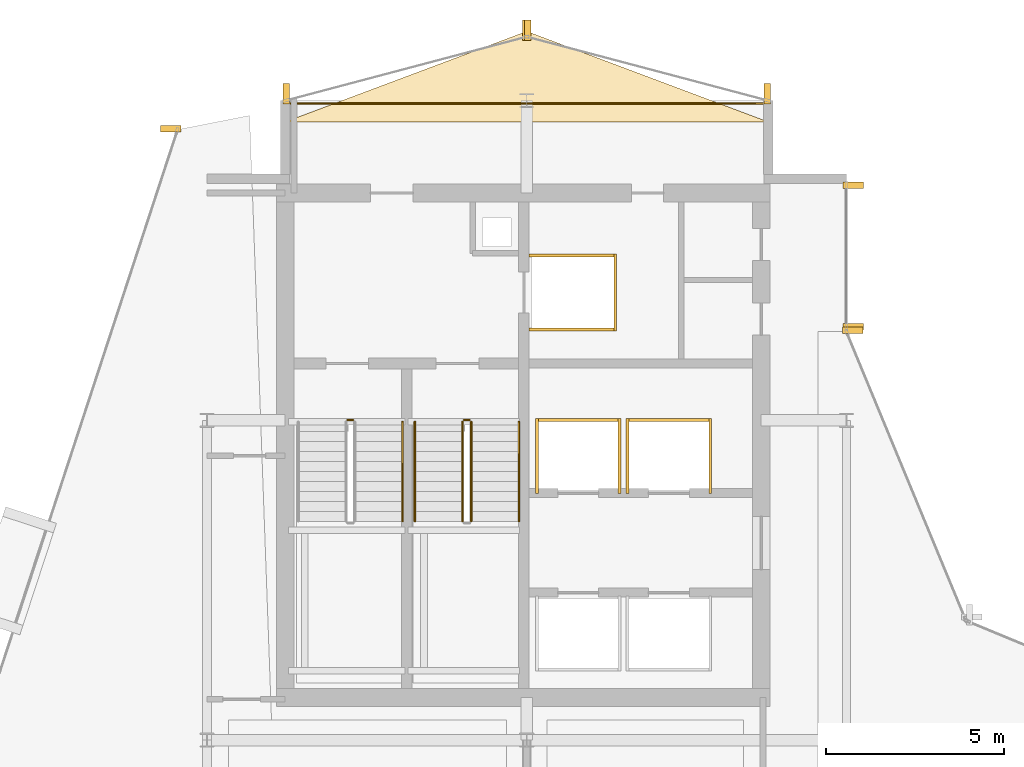
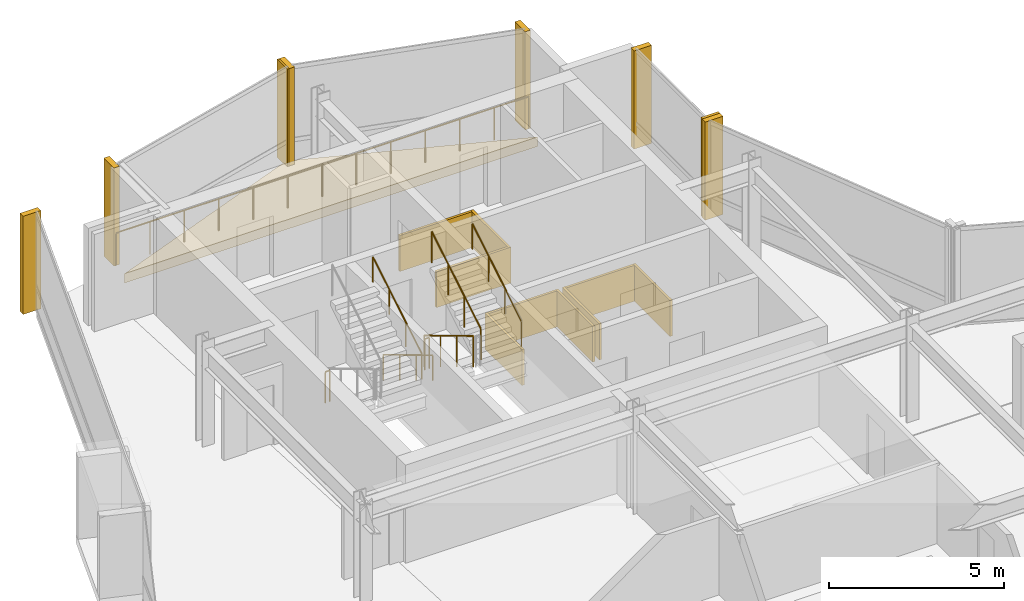
# One storey, part 28 of 28: 18 coverings, 8 railings.
"""IFC4 building model written with IfcOpenShell, lengths in metres."""

from ifc_helpers import new_model, si_unit, direction, frame, origin, origin_2d, place, context, subcontext, project, spatial, polyline, rectangle, circle, outline, extrude, material, layer, layer_set, type_object, element, save


model = new_model("IFC4")

# Units and contexts
model_context = context("Model", 3, precision=1e-05, world=origin(), true_north=direction((0.0, 1.0)))
body_context = subcontext(model_context, "Body", "Model", "MODEL_VIEW")
ifc_project = project(units=[si_unit("LENGTHUNIT", "METRE"), si_unit("AREAUNIT", "SQUARE_METRE"), si_unit("VOLUMEUNIT", "CUBIC_METRE"), si_unit("PLANEANGLEUNIT", "RADIAN"), si_unit("MASSUNIT", "GRAM", prefix="KILO")], contexts=[model_context])

# Site, building, storey
site_placement = place(None, origin())
site = spatial("IfcSite", under=ifc_project, at=site_placement, CompositionType="ELEMENT")
building_placement = place(site_placement, origin())
building = spatial("IfcBuilding", under=site, at=building_placement, Name="Solvaryn Broadcast Tower", CompositionType="ELEMENT")
storey_placement = place(building_placement, frame((0.0, 0.0, 217.300048828125)))
storey = spatial("IfcBuildingStorey", under=building, at=storey_placement, Name="L54", CompositionType="ELEMENT", Elevation=217.300048828125)

# Coverings
ifc_material_1 = material(Name="Fire-Rated Gypsum Shaftwall Liner", Category="concrete")
ifc_layer_1 = layer(ifc_material_1, 0.080078125)
ifc_layer_set_1 = layer_set([ifc_layer_1], Name="CV-SHAFT-LINER")
covering_type_1 = type_object("IfcCoveringType", Name="CV-SHAFT-LINER", PredefinedType="CLADDING", material=ifc_layer_set_1)
for number, where, z_axis, x_axis, name in (
    (1, (19.300048828125, 40.639892578125, 0.0), (0.0, 0.0, 1.0), (1.0, 0.0, 0.0), "L54 FL1 Hoistway Shaft Liner North"),
    (2, (19.300048828125, 38.56005859375, 0.0), (0.0, 0.0, 1.0), (1.0, 0.0, 0.0), "L54 FL1 Hoistway Shaft Liner South"),
):
    element("IfcCovering", number, at=place(storey_placement, frame(where, z_axis=z_axis, x_axis=x_axis)), inside=storey, type_object=covering_type_1, Name=name, PredefinedType="CLADDING", context=body_context, shape_type="SweptSolid", body=[
        extrude(rectangle(XDim=2.4599609375, YDim=0.080078125, at=origin_2d()), origin(), (0.0, 0.0, 1.0), 1.25),
    ])
covering_1_placement = place(storey_placement, frame((20.489990234375, 39.60009765625, 0.0), z_axis=(0.0, 0.0, 1.0), x_axis=(1.0, 0.0, 0.0)))
element("IfcCovering", 3, at=covering_1_placement, inside=storey, type_object=covering_type_1, Name="L54 FL1 Hoistway Shaft Liner East", PredefinedType="CLADDING", context=body_context, shape_type="SweptSolid", body=[
    extrude(rectangle(XDim=0.080078125, YDim=2.159912109375, at=origin_2d()), origin(), (0.0, 0.0, 1.0), 1.25),
])
covering_2_placement = place(storey_placement, frame((19.449951171875, 36.014892578125, 0.0), z_axis=(0.0, 0.0, 1.0), x_axis=(1.0, 0.0, 0.0)))
element("IfcCovering", 4, at=covering_2_placement, inside=storey, type_object=covering_type_1, Name="L54 PH3 Hoistway Shaft Liner North", PredefinedType="CLADDING", context=body_context, shape_type="SweptSolid", body=[
    extrude(rectangle(XDim=2.409912109375, YDim=0.080078125, at=origin_2d()), origin(), (0.0, 0.0, 1.0), 1.25),
])
for number, where, z_axis, x_axis, name in (
    (5, (20.614990234375, 35.0, 0.0), (0.0, 0.0, 1.0), (1.0, 0.0, 0.0), "L54 PH3 Hoistway Shaft Liner East"),
    (6, (18.284912109375, 35.0, 0.0), (0.0, 0.0, 1.0), (1.0, 0.0, 0.0), "L54 PH3 Hoistway Shaft Liner West"),
):
    element("IfcCovering", number, at=place(storey_placement, frame(where, z_axis=z_axis, x_axis=x_axis)), inside=storey, type_object=covering_type_1, Name=name, PredefinedType="CLADDING", context=body_context, shape_type="SweptSolid", body=[
        extrude(rectangle(XDim=0.080078125, YDim=2.110107421875, at=origin_2d()), origin(), (0.0, 0.0, 1.0), 1.25),
    ])
covering_3_placement = place(storey_placement, frame((22.0, 36.014892578125, 0.0), z_axis=(0.0, 0.0, 1.0), x_axis=(1.0, 0.0, 0.0)))
element("IfcCovering", 7, at=covering_3_placement, inside=storey, type_object=covering_type_1, Name="L54 PH4 Hoistway Shaft Liner North", PredefinedType="CLADDING", context=body_context, shape_type="SweptSolid", body=[
    extrude(rectangle(XDim=2.409912109375, YDim=0.080078125, at=origin_2d()), origin(), (0.0, 0.0, 1.0), 1.25),
])
for number, where, z_axis, x_axis, name in (
    (8, (23.1650390625, 35.0, 0.0), (0.0, 0.0, 1.0), (1.0, 0.0, 0.0), "L54 PH4 Hoistway Shaft Liner East"),
    (9, (20.8349609375, 35.0, 0.0), (0.0, 0.0, 1.0), (1.0, 0.0, 0.0), "L54 PH4 Hoistway Shaft Liner West"),
):
    element("IfcCovering", number, at=place(storey_placement, frame(where, z_axis=z_axis, x_axis=x_axis)), inside=storey, type_object=covering_type_1, Name=name, PredefinedType="CLADDING", context=body_context, shape_type="SweptSolid", body=[
        extrude(rectangle(XDim=0.080078125, YDim=2.110107421875, at=origin_2d()), origin(), (0.0, 0.0, 1.0), 1.25),
    ])
ifc_material_2 = material(Name="Extruded Architectural Terracotta Fin", Category="masonry")
ifc_layer_2 = layer(ifc_material_2, 0.179931640625)
ifc_layer_set_2 = layer_set([ifc_layer_2], Name="CV-TC-FIN")
covering_type_2 = type_object("IfcCoveringType", Name="CV-TC-FIN", PredefinedType="USERDEFINED", material=ifc_layer_set_2)
for number, where, z_axis, x_axis, name in (
    (10, (7.982666015625, 44.209716796875, 0.0), (0.0, 0.0, 1.0), (1.0, 0.0, 0.0), "L54 Terracotta Vertical Fin FIN-L54-DR1-M00"),
    (11, (27.1875, 42.6201171875, 0.0), (0.0, 0.0, 1.0), (1.0, 0.0, 0.0), "L54 Terracotta Vertical Fin FIN-L54-IV-M00"),
    (12, (27.1875, 38.6298828125, 0.0), (0.0, 0.0, 1.0), (1.0, 0.0, 0.0), "L54 Terracotta Vertical Fin FIN-L54-IV-M01"),
    (13, (27.177978515625, 38.541259765625, 0.0), (0.0, 0.0, 1.0), (1.0, 0.0, 0.0), "L54 Terracotta Vertical Fin FIN-L54-CN2-M01"),
):
    element("IfcCovering", number, at=place(storey_placement, frame(where, z_axis=z_axis, x_axis=x_axis)), inside=storey, type_object=covering_type_2, Name=name, ObjectType="FIN", PredefinedType="USERDEFINED", context=body_context, shape_type="SweptSolid", body=[
        extrude(rectangle(XDim=0.580078125, YDim=0.179931640625, at=origin_2d()), origin(), (0.0, 0.0, 1.0), 3.419921875),
    ])
for number, where, z_axis, x_axis, name in (
    (14, (24.77099609375, 45.1953125, 0.0), (0.0, 0.0, 1.0), (1.0, 0.0, 0.0), "L54 Terracotta Vertical Fin FIN-L54-NT1-M00"),
    (15, (18.029052734375, 46.979736328125, 0.0), (0.0, 0.0, 1.0), (1.0, 0.0, 0.0), "L54 Terracotta Vertical Fin FIN-L54-NT1-M01"),
    (16, (17.970947265625, 46.979736328125, 0.0), (0.0, 0.0, 1.0), (1.0, 0.0, 0.0), "L54 Terracotta Vertical Fin FIN-L54-NT2-M00"),
    (17, (11.22900390625, 45.1953125, 0.0), (0.0, 0.0, 1.0), (1.0, 0.0, 0.0), "L54 Terracotta Vertical Fin FIN-L54-NT2-M01"),
):
    element("IfcCovering", number, at=place(storey_placement, frame(where, z_axis=z_axis, x_axis=x_axis)), inside=storey, type_object=covering_type_2, Name=name, ObjectType="FIN", PredefinedType="USERDEFINED", context=body_context, shape_type="SweptSolid", body=[
        extrude(rectangle(XDim=0.179931640625, YDim=0.580078125, at=origin_2d()), origin(), (0.0, 0.0, 1.0), 3.419921875),
    ])
ifc_material_3 = material(Name="Sculpted Architectural Terracotta Wave Fascia", Category="masonry")
ifc_layer_3 = layer(ifc_material_3, 0.340087890625)
ifc_layer_set_3 = layer_set([ifc_layer_3], Name="CV-WAVE-TRAY")
covering_type_3 = type_object("IfcCoveringType", Name="CV-WAVE-TRAY", PredefinedType="CLADDING", material=ifc_layer_set_3)
covering_4_placement = place(storey_placement, frame((0.0, 0.0, -0.300048828125)))
element("IfcCovering", 18, at=covering_4_placement, inside=storey, type_object=covering_type_3, Name="L54 North Curved Wing Deck", PredefinedType="CLADDING", context=body_context, shape_type="SweptSolid", body=[
    extrude(outline(polyline([(11.199951171875, 44.39990234375), (24.800048828125, 44.39990234375), (18.0, 46.949951171875), (11.199951171875, 44.39990234375)])), origin(), (0.0, 0.0, 1.0), 0.330078125),
])

# Railings
ifc_material_4 = material(Name="Painted Steel Stair Well Guard", Category="steel")
railing_type_1 = type_object("IfcRailingType", Name="RL-STAIR-GUARD", PredefinedType="BALUSTRADE", material=ifc_material_4)
railing_1_placement = place(storey_placement, frame((12.9599609375, 36.010009765625, 0.0)))
element("IfcRailing", 19, at=railing_1_placement, inside=storey, type_object=railing_type_1, Name="L54 ST1 stair guard 4", PredefinedType="BALUSTRADE", context=body_context, shape_type="SweptSolid", body=[
    extrude(circle(Radius=0.02392578125, at=origin_2d()), frame((0.0, 0.0, 1.076171875), z_axis=(1.0, 0.0, 0.0), x_axis=(0.0, 1.0, 0.0)), (0.0, 0.0, 1.0), 0.150146484375),
    extrude(circle(Radius=0.02099609375, at=origin_2d()), origin(), (0.0, 0.0, 1.0), 1.052001953125),
    extrude(circle(Radius=0.02099609375, at=origin_2d()), frame((0.150146484375, 0.0, 0.0)), (0.0, 0.0, 1.0), 1.052001953125),
])
railing_2_placement = place(storey_placement, frame((16.18994140625, 35.9599609375, 0.168212890625)))
element("IfcRailing", 20, at=railing_2_placement, inside=storey, type_object=railing_type_1, Name="L54 ST2 stair guard 1", PredefinedType="BALUSTRADE", context=body_context, shape_type="SweptSolid", body=[
    extrude(circle(Radius=0.02392578125, at=origin_2d()), frame((0.0, 0.0, 1.076171875), z_axis=(0.0, -0.857275202839, 0.514858452973), x_axis=(1.0, 0.0, 0.0)), (0.0, 0.0, 1.0), 3.26611328125),
    extrude(circle(Radius=0.02099609375, at=origin_2d()), origin(), (0.0, 0.0, 1.0), 1.052001953125),
    extrude(circle(Radius=0.02099609375, at=origin_2d()), frame((0.0, -0.933349609375, 0.560546875)), (0.0, 0.0, 1.0), 1.052001953125),
    extrude(circle(Radius=0.02099609375, at=origin_2d()), frame((0.0, -1.86669921875, 1.12109375)), (0.0, 0.0, 1.0), 1.052001953125),
    extrude(circle(Radius=0.02099609375, at=origin_2d()), frame((0.0, -2.800048828125, 1.681640625)), (0.0, 0.0, 1.0), 1.052001953125),
])
railing_3_placement = place(storey_placement, frame((16.43994140625, 33.159912109375, 2.01806640625)))
element("IfcRailing", 21, at=railing_3_placement, inside=storey, type_object=railing_type_1, Name="L54 ST2 stair guard 3", PredefinedType="BALUSTRADE", context=body_context, shape_type="SweptSolid", body=[
    extrude(circle(Radius=0.02392578125, at=origin_2d()), frame((0.0, 0.0, 1.076171875), z_axis=(0.0, 0.857242210791, 0.514913383045), x_axis=(-1.0, 0.0, 0.0)), (0.0, 0.0, 1.0), 3.266357421875),
    extrude(circle(Radius=0.02099609375, at=origin_2d()), origin(), (0.0, 0.0, 1.0), 1.052001953125),
    extrude(circle(Radius=0.02099609375, at=origin_2d()), frame((0.0, 0.933349609375, 0.560546875)), (0.0, 0.0, 1.0), 1.052001953125),
    extrude(circle(Radius=0.02099609375, at=origin_2d()), frame((0.0, 1.86669921875, 1.121337890625)), (0.0, 0.0, 1.0), 1.052001953125),
    extrude(circle(Radius=0.02099609375, at=origin_2d()), frame((0.0, 2.800048828125, 1.681884765625)), (0.0, 0.0, 1.0), 1.052001953125),
])
railing_4_placement = place(storey_placement, frame((16.239990234375, 36.010009765625, 0.0)))
element("IfcRailing", 22, at=railing_4_placement, inside=storey, type_object=railing_type_1, Name="L54 ST2 stair guard 4", PredefinedType="BALUSTRADE", context=body_context, shape_type="SweptSolid", body=[
    extrude(circle(Radius=0.02392578125, at=origin_2d()), frame((0.0, 0.0, 1.076171875), z_axis=(1.0, 0.0, 0.0), x_axis=(0.0, 1.0, 0.0)), (0.0, 0.0, 1.0), 0.14990234375),
    extrude(circle(Radius=0.02099609375, at=origin_2d()), origin(), (0.0, 0.0, 1.0), 1.052001953125),
    extrude(circle(Radius=0.02099609375, at=origin_2d()), frame((0.14990234375, 0.0, 0.0)), (0.0, 0.0, 1.0), 1.052001953125),
])
ifc_material_5 = material(Name="Brushed Stainless Steel Tubular Handrail", Category="steel")
railing_type_2 = type_object("IfcRailingType", Name="RL-STAIR-HANDRAIL", PredefinedType="HANDRAIL", material=ifc_material_5)
railing_5_placement = place(storey_placement, frame((14.5, 33.159912109375, 2.01806640625)))
element("IfcRailing", 23, at=railing_5_placement, inside=storey, type_object=railing_type_2, Name="L54 ST1 stair handrail 2", PredefinedType="HANDRAIL", context=body_context, shape_type="SweptSolid", body=[
    extrude(circle(Radius=0.02392578125, at=origin_2d()), frame((0.0, 0.0, 0.8759765625), z_axis=(0.0, 0.857242210791, 0.514913383045), x_axis=(-1.0, 0.0, 0.0)), (0.0, 0.0, 1.0), 3.266357421875),
    extrude(circle(Radius=0.02099609375, at=origin_2d()), origin(), (0.0, 0.0, 1.0), 0.851806640625),
    extrude(circle(Radius=0.02099609375, at=origin_2d()), frame((0.0, 0.933349609375, 0.560546875)), (0.0, 0.0, 1.0), 0.851806640625),
    extrude(circle(Radius=0.02099609375, at=origin_2d()), frame((0.0, 1.86669921875, 1.121337890625)), (0.0, 0.0, 1.0), 0.851806640625),
    extrude(circle(Radius=0.02099609375, at=origin_2d()), frame((0.0, 2.800048828125, 1.681884765625)), (0.0, 0.0, 1.0), 0.851806640625),
])
railing_6_placement = place(storey_placement, frame((14.85009765625, 35.9599609375, 0.168212890625)))
element("IfcRailing", 24, at=railing_6_placement, inside=storey, type_object=railing_type_2, Name="L54 ST2 stair handrail 1", PredefinedType="HANDRAIL", context=body_context, shape_type="SweptSolid", body=[
    extrude(circle(Radius=0.02392578125, at=origin_2d()), frame((0.0, 0.0, 0.8759765625), z_axis=(0.0, -0.857275202839, 0.514858452973), x_axis=(1.0, 0.0, 0.0)), (0.0, 0.0, 1.0), 3.26611328125),
    extrude(circle(Radius=0.02099609375, at=origin_2d()), origin(), (0.0, 0.0, 1.0), 0.851806640625),
    extrude(circle(Radius=0.02099609375, at=origin_2d()), frame((0.0, -0.933349609375, 0.560546875)), (0.0, 0.0, 1.0), 0.851806640625),
    extrude(circle(Radius=0.02099609375, at=origin_2d()), frame((0.0, -1.86669921875, 1.12109375)), (0.0, 0.0, 1.0), 0.851806640625),
    extrude(circle(Radius=0.02099609375, at=origin_2d()), frame((0.0, -2.800048828125, 1.681640625)), (0.0, 0.0, 1.0), 0.851806640625),
])
railing_7_placement = place(storey_placement, frame((17.780029296875, 33.159912109375, 2.01806640625)))
element("IfcRailing", 25, at=railing_7_placement, inside=storey, type_object=railing_type_2, Name="L54 ST2 stair handrail 2", PredefinedType="HANDRAIL", context=body_context, shape_type="SweptSolid", body=[
    extrude(circle(Radius=0.02392578125, at=origin_2d()), frame((0.0, 0.0, 0.8759765625), z_axis=(0.0, 0.857242210791, 0.514913383045), x_axis=(-1.0, 0.0, 0.0)), (0.0, 0.0, 1.0), 3.266357421875),
    extrude(circle(Radius=0.02099609375, at=origin_2d()), origin(), (0.0, 0.0, 1.0), 0.851806640625),
    extrude(circle(Radius=0.02099609375, at=origin_2d()), frame((0.0, 0.933349609375, 0.560546875)), (0.0, 0.0, 1.0), 0.851806640625),
    extrude(circle(Radius=0.02099609375, at=origin_2d()), frame((0.0, 1.86669921875, 1.121337890625)), (0.0, 0.0, 1.0), 0.851806640625),
    extrude(circle(Radius=0.02099609375, at=origin_2d()), frame((0.0, 2.800048828125, 1.681884765625)), (0.0, 0.0, 1.0), 0.851806640625),
])
ifc_material_6 = material(Name="Stainless Steel and Laminated Glass Guard", Category="steel")
railing_type_3 = type_object("IfcRailingType", Name="RL-TER-1150", PredefinedType="BALUSTRADE", material=ifc_material_6)
railing_8_placement = place(storey_placement, frame((11.199951171875, 44.919921875, 0.0)))
element("IfcRailing", 26, at=railing_8_placement, inside=storey, type_object=railing_type_3, Name="L54 North Wing Spandrel Edge Guard", PredefinedType="BALUSTRADE", context=body_context, shape_type="SweptSolid", body=[
    extrude(circle(Radius=0.02392578125, at=origin_2d()), frame((0.0, 0.0, 1.1259765625), z_axis=(1.0, 0.0, 0.0), x_axis=(0.0, 1.0, 0.0)), (0.0, 0.0, 1.0), 13.60009765625),
    extrude(circle(Radius=0.02099609375, at=origin_2d()), origin(), (0.0, 0.0, 1.0), 1.101806640625),
    extrude(circle(Radius=0.02099609375, at=origin_2d()), frame((1.13330078125, 0.0, 0.0)), (0.0, 0.0, 1.0), 1.101806640625),
    extrude(circle(Radius=0.02099609375, at=origin_2d()), frame((2.2666015625, 0.0, 0.0)), (0.0, 0.0, 1.0), 1.101806640625),
    extrude(circle(Radius=0.02099609375, at=origin_2d()), frame((3.39990234375, 0.0, 0.0)), (0.0, 0.0, 1.0), 1.101806640625),
    extrude(circle(Radius=0.02099609375, at=origin_2d()), frame((4.533447265625, 0.0, 0.0)), (0.0, 0.0, 1.0), 1.101806640625),
    extrude(circle(Radius=0.02099609375, at=origin_2d()), frame((5.666748046875, 0.0, 0.0)), (0.0, 0.0, 1.0), 1.101806640625),
    extrude(circle(Radius=0.02099609375, at=origin_2d()), frame((6.800048828125, 0.0, 0.0)), (0.0, 0.0, 1.0), 1.101806640625),
    extrude(circle(Radius=0.02099609375, at=origin_2d()), frame((7.933349609375, 0.0, 0.0)), (0.0, 0.0, 1.0), 1.101806640625),
    extrude(circle(Radius=0.02099609375, at=origin_2d()), frame((9.066650390625, 0.0, 0.0)), (0.0, 0.0, 1.0), 1.101806640625),
    extrude(circle(Radius=0.02099609375, at=origin_2d()), frame((10.2001953125, 0.0, 0.0)), (0.0, 0.0, 1.0), 1.101806640625),
    extrude(circle(Radius=0.02099609375, at=origin_2d()), frame((11.33349609375, 0.0, 0.0)), (0.0, 0.0, 1.0), 1.101806640625),
    extrude(circle(Radius=0.02099609375, at=origin_2d()), frame((12.466796875, 0.0, 0.0)), (0.0, 0.0, 1.0), 1.101806640625),
    extrude(circle(Radius=0.02099609375, at=origin_2d()), frame((13.60009765625, 0.0, 0.0)), (0.0, 0.0, 1.0), 1.101806640625),
])

save(model, "model.ifc")
